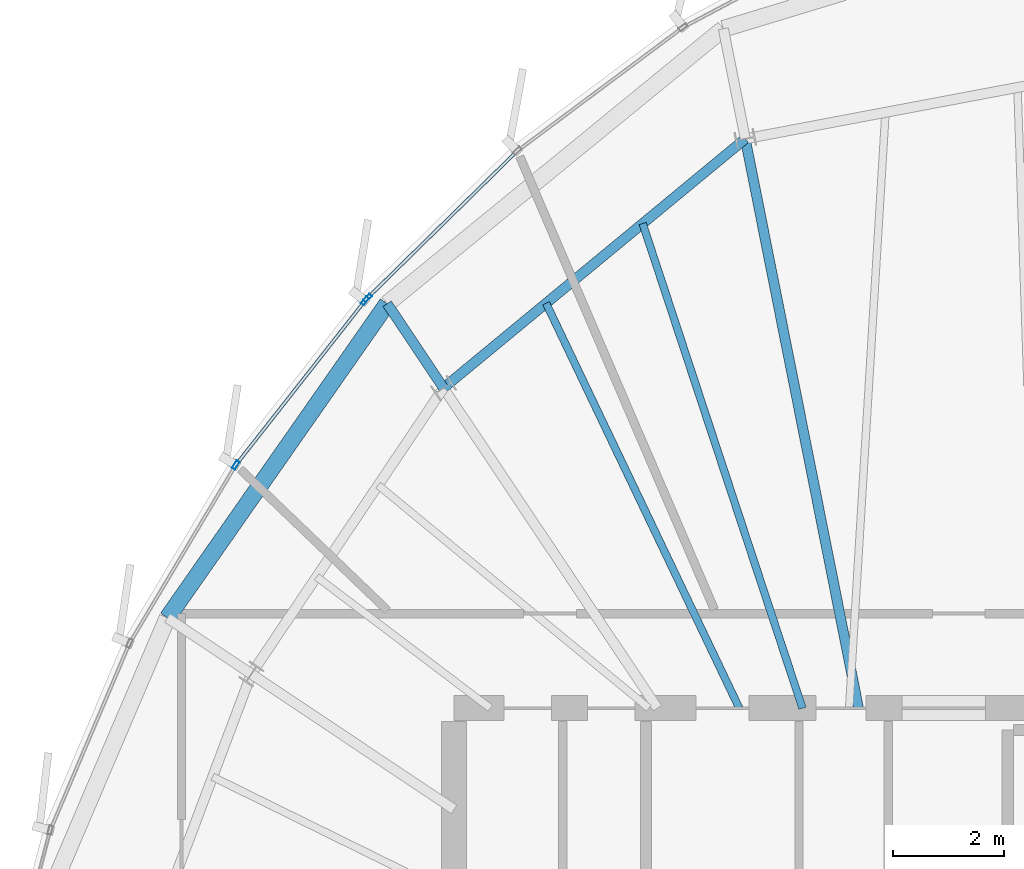
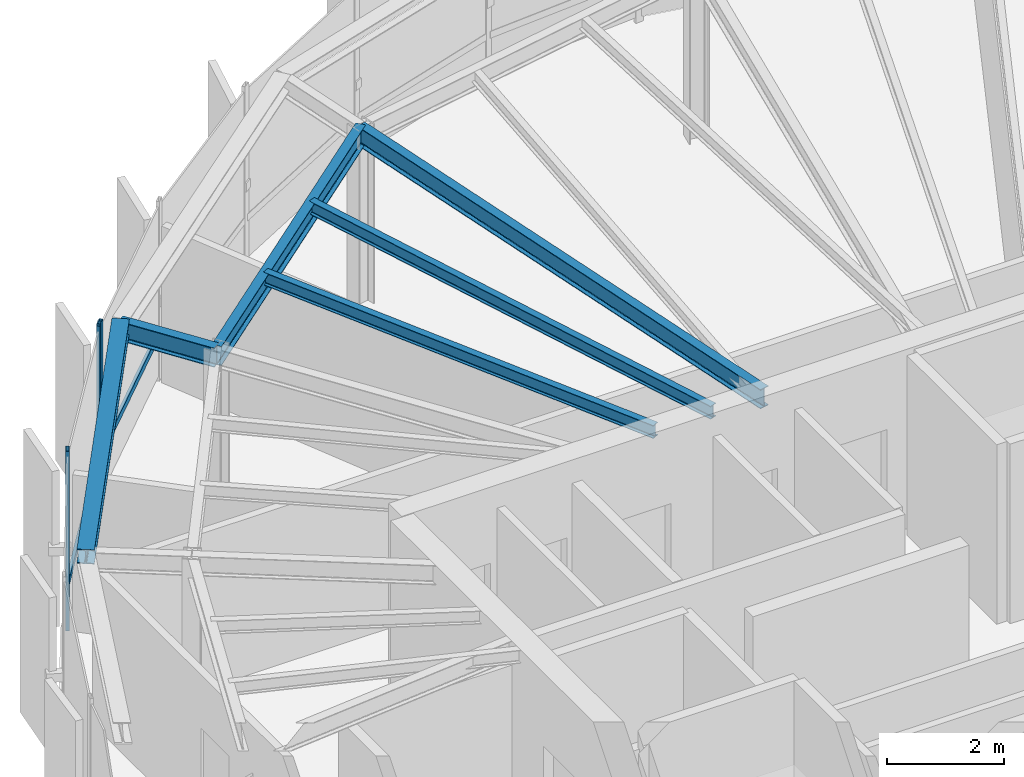
# One storey, part 14 of 26: 6 beams, 5 members, 2 elements without a shape of their own.
"""IFC4 building model written with IfcOpenShell, lengths in metres."""

from ifc_helpers import new_model, si_unit, direction, frame, origin, origin_2d, place, context, subcontext, project, spatial, hollow_rectangle, i_section, extrude, source, transform, mapped, material, layer, layer_set, material_profile, profile_set, type_object, element, aggregate, save


model = new_model("IFC4")

# Units and contexts
model_context = context("Model", 3, precision=1e-05, world=origin(), true_north=direction((0.0, 1.0)))
body_context = subcontext(model_context, "Body", "Model", "MODEL_VIEW")
ifc_project = project(units=[si_unit("LENGTHUNIT", "METRE"), si_unit("AREAUNIT", "SQUARE_METRE"), si_unit("VOLUMEUNIT", "CUBIC_METRE"), si_unit("PLANEANGLEUNIT", "RADIAN"), si_unit("MASSUNIT", "GRAM", prefix="KILO"), si_unit("THERMODYNAMICTEMPERATUREUNIT", "KELVIN")], contexts=[model_context])

# Site, building, storey
site_placement = place(None, origin())
site = spatial("IfcSite", under=ifc_project, at=site_placement, CompositionType="ELEMENT")
building_placement = place(site_placement, origin())
building = spatial("IfcBuilding", under=site, at=building_placement, Name="Kethvar Cultural Tower", CompositionType="ELEMENT")
storey_placement = place(building_placement, frame((0.0, 0.0, 320.300048828125)))
storey = spatial("IfcBuildingStorey", under=building, at=storey_placement, Name="L85", CompositionType="ELEMENT", Elevation=320.300048828125)

# Beams
ifc_material_1 = material(Name="Steel S355J2", Category="steel")
ifc_material_profile_1 = material_profile(ifc_material_1, i_section(OverallWidth=0.135009765625, OverallDepth=0.27001953125, WebThickness=0.006591796875, FlangeThickness=0.01025390625, FilletRadius=0.014892578125, at=origin_2d()), Name="Steel S355J2 — IPE270")
ifc_profile_set_1 = profile_set([ifc_material_profile_1], Name="Steel S355J2 — IPE270")
beam_type_1 = type_object("IfcBeamType", Name="BM-J270", PredefinedType="JOIST", material=ifc_profile_set_1)
shared_shape_1 = source(origin(), body_context, "Body", "SweptSolid", [
    extrude(i_section(OverallWidth=0.135009765625, OverallDepth=0.27001953125, WebThickness=0.006591796875, FlangeThickness=0.01025390625, FilletRadius=0.014892578125, at=origin_2d()), origin(), (0.0, 0.0, 1.0), 9.17138671875),
])
beam_1_placement = place(storey_placement, frame((44.260986328125, 35.5, 3.597900390625), z_axis=(-0.313151555446, 0.949703165901, 0.0), x_axis=(-0.949703165901, -0.313151555446, 0.0)))
element("IfcBeam", 1, at=beam_1_placement, inside=storey, type_object=beam_type_1, Name="L85 Composite Floor Joist J-05A", PredefinedType="JOIST", context=body_context, shape_type="MappedRepresentation", body=[
    mapped(shared_shape_1, transform((0.0, 0.0, 0.0), scale=1.0)),
])
shared_shape_2 = source(origin(), body_context, "Body", "SweptSolid", [
    extrude(i_section(OverallWidth=0.135009765625, OverallDepth=0.27001953125, WebThickness=0.006591796875, FlangeThickness=0.01025390625, FilletRadius=0.014892578125, at=origin_2d()), origin(), (0.0, 0.0, 1.0), 8.063232421875),
])
beam_2_placement = place(storey_placement, frame((43.1259765625, 35.5, 3.597900390625), z_axis=(-0.430642151588, 0.902522762746, 0.0), x_axis=(-0.902522762746, -0.430642151588, 0.0)))
element("IfcBeam", 2, at=beam_2_placement, inside=storey, type_object=beam_type_1, Name="L85 Composite Floor Joist J-05B", PredefinedType="JOIST", context=body_context, shape_type="MappedRepresentation", body=[
    mapped(shared_shape_2, transform((0.0, 0.0, 0.0), scale=1.0)),
])
ifc_material_profile_2 = material_profile(ifc_material_1, i_section(OverallWidth=0.179931640625, OverallDepth=0.39990234375, WebThickness=0.008544921875, FlangeThickness=0.013427734375, FilletRadius=0.02099609375, at=origin_2d()), Name="Steel S355J2 — IPE400")
ifc_profile_set_2 = profile_set([ifc_material_profile_2], Name="Steel S355J2 — IPE400")
beam_type_2 = type_object("IfcBeamType", Name="BM-IPE400", PredefinedType="BEAM", material=ifc_profile_set_2)
shared_shape_3 = source(origin(), body_context, "Body", "SweptSolid", [
    extrude(i_section(OverallWidth=0.179931640625, OverallDepth=0.39990234375, WebThickness=0.008544921875, FlangeThickness=0.013427734375, FilletRadius=0.02099609375, at=origin_2d()), origin(), (0.0, 0.0, 1.0), 10.432861328125),
])
beam_3_placement = place(storey_placement, frame((45.268310546875, 35.5, 3.532958984375), z_axis=(-0.195094483249, 0.980784452673, 0.0), x_axis=(-0.980784452673, -0.195094483249, 0.0)))
element("IfcBeam", 3, at=beam_3_placement, inside=storey, type_object=beam_type_2, Name="L85 Primary Radial Beam RB-05", PredefinedType="BEAM", context=body_context, shape_type="MappedRepresentation", body=[
    mapped(shared_shape_3, transform((0.0, 0.0, 0.0), scale=1.0)),
])
shared_shape_4 = source(origin(), body_context, "Body", "SweptSolid", [
    extrude(i_section(OverallWidth=0.179931640625, OverallDepth=0.39990234375, WebThickness=0.008544921875, FlangeThickness=0.013427734375, FilletRadius=0.02099609375, at=origin_2d()), origin(), (0.0, 0.0, 1.0), 7.03271484375),
])
beam_4_placement = place(storey_placement, frame((43.23291015625, 45.732421875, 3.532958984375), z_axis=(-0.771161072103, -0.636640087391, 0.0), x_axis=(0.636640087391, -0.771161072103, 0.0)))
element("IfcBeam", 4, at=beam_4_placement, inside=storey, type_object=beam_type_2, Name="L85 Column Ring Tie Beam CR-05", PredefinedType="BEAM", context=body_context, shape_type="MappedRepresentation", body=[
    mapped(shared_shape_4, transform((0.0, 0.0, 0.0), scale=1.0)),
])
shared_shape_5 = source(origin(), body_context, "Body", "SweptSolid", [
    extrude(i_section(OverallWidth=0.179931640625, OverallDepth=0.39990234375, WebThickness=0.008544921875, FlangeThickness=0.013427734375, FilletRadius=0.02099609375, at=origin_2d()), origin(), (0.0, 0.0, 1.0), 1.822021484375),
])
beam_5_placement = place(storey_placement, frame((37.8095703125, 41.255126953125, 3.532958984375), z_axis=(-0.555565744758, 0.831472611245, 0.0), x_axis=(-0.831472611245, -0.555565744758, 0.0)))
element("IfcBeam", 5, at=beam_5_placement, inside=storey, type_object=beam_type_2, Name="L85 Perimeter Cantilever Beam RC-06", PredefinedType="BEAM", context=body_context, shape_type="MappedRepresentation", body=[
    mapped(shared_shape_5, transform((0.0, 0.0, 0.0), scale=1.0)),
])
ifc_material_profile_3 = material_profile(ifc_material_1, i_section(OverallWidth=0.300048828125, OverallDepth=0.300048828125, WebThickness=0.010986328125, FlangeThickness=0.01904296875, FilletRadius=0.027099609375, at=origin_2d()), Name="Steel S355J2 — HEB300")
ifc_profile_set_3 = profile_set([ifc_material_profile_3], Name="Steel S355J2 — HEB300")
beam_type_3 = type_object("IfcBeamType", Name="BM-SP300", PredefinedType="SPANDREL", material=ifc_profile_set_3)
shared_shape_6 = source(origin(), body_context, "Body", "SweptSolid", [
    extrude(i_section(OverallWidth=0.300048828125, OverallDepth=0.300048828125, WebThickness=0.010986328125, FlangeThickness=0.01904296875, FilletRadius=0.027099609375, at=origin_2d()), origin(), (0.0, 0.0, 1.0), 6.891357421875),
])
beam_6_placement = place(storey_placement, frame((36.79736328125, 42.77001953125, 3.5830078125), z_axis=(-0.573096132949, -0.819488146589, 0.0), x_axis=(0.819488146589, -0.573096132949, 0.0)))
element("IfcBeam", 6, at=beam_6_placement, inside=storey, type_object=beam_type_3, Name="L85 Perimeter Spandrel Beam SP-06", PredefinedType="SPANDREL", context=body_context, shape_type="MappedRepresentation", body=[
    mapped(shared_shape_6, transform((0.0, 0.0, 0.0), scale=1.0)),
])

# Curtain wall, member
ifc_material_2 = material(Name="Aluminium 6063-T6", Category="aluminium")
ifc_layer = layer(ifc_material_2, 0.179931640625, Name="Aluminium 6063-T6", Category="aluminium")
ifc_layer_set = layer_set([ifc_layer], Name="Aluminium 6063-T6 (180 mm)")
curtain_wall_type = type_object("IfcCurtainWallType", Name="CW-SYS-06-CROWN", PredefinedType="NOTDEFINED", material=ifc_layer_set)
curtain_wall_1_placement = place(storey_placement, origin())
curtain_wall_1 = element("IfcCurtainWall", 7, at=curtain_wall_1_placement, inside=storey, type_object=curtain_wall_type, Name="L85 Curtain Wall Run 01", PredefinedType="NOTDEFINED")
ifc_material_profile_4 = material_profile(ifc_material_2, hollow_rectangle(XDim=0.06494140625, YDim=0.159912109375, WallThickness=0.0048828125, at=origin_2d()), Name="Aluminium 6063-T6 — RHS160x65x5")
ifc_profile_set_4 = profile_set([ifc_material_profile_4], Name="Aluminium 6063-T6 — RHS160x65x5")
member_type_1 = type_object("IfcMemberType", Name="CW-SYS-06-CROWN-MUL", PredefinedType="MULLION", material=ifc_profile_set_4)
shared_shape_7 = source(origin(), body_context, "Body", "SweptSolid", [
    extrude(hollow_rectangle(XDim=0.06494140625, YDim=0.159912109375, WallThickness=0.0048828125, at=origin_2d()), origin(), (0.0, 0.0, 1.0), 3.73486328125),
])
member_1_placement = place(storey_placement, frame((36.445068359375, 42.872802734375, 0.0), z_axis=(0.0, 0.0, 1.0), x_axis=(0.700660250228, -0.713495069184, 0.0)))
member_1 = element("IfcMember", 8, at=member_1_placement, type_object=member_type_1, Name="CW-L85-R01 Mullion 7", PredefinedType="MULLION", context=body_context, shape_type="MappedRepresentation", body=[
    mapped(shared_shape_7, transform((0.0, 0.0, 0.0), scale=1.0)),
])

# Curtain wall, members
curtain_wall_2_placement = place(storey_placement, origin())
curtain_wall_2 = element("IfcCurtainWall", 9, at=curtain_wall_2_placement, inside=storey, type_object=curtain_wall_type, Name="L85 Curtain Wall Run 02", PredefinedType="NOTDEFINED")
member_2_placement = place(storey_placement, frame((36.399169921875, 42.8212890625, 0.0), z_axis=(0.0, 0.0, 1.0), x_axis=(0.785943231616, -0.618298663008, 0.0)))
member_2 = element("IfcMember", 10, at=member_2_placement, type_object=member_type_1, Name="CW-L85-R02 Mullion 1", PredefinedType="MULLION", context=body_context, shape_type="MappedRepresentation", body=[
    mapped(shared_shape_7, transform((0.0, 0.0, 0.0), scale=1.0)),
])
member_3_placement = place(storey_placement, frame((34.0771484375, 39.871337890625, 0.0), z_axis=(0.0, 0.0, 1.0), x_axis=(0.859174305582, -0.511683019679, 0.0)))
member_3 = element("IfcMember", 11, at=member_3_placement, type_object=member_type_1, Name="CW-L85-R02 Mullion 2", PredefinedType="MULLION", context=body_context, shape_type="MappedRepresentation", body=[
    mapped(shared_shape_7, transform((0.0, 0.0, 0.0), scale=1.0)),
])

# Member
ifc_material_profile_5 = material_profile(ifc_material_2, hollow_rectangle(XDim=0.06005859375, YDim=0.139892578125, WallThickness=0.0048828125, at=origin_2d()), Name="Aluminium 6063-T6 — RHS140x60x5")
ifc_profile_set_5 = profile_set([ifc_material_profile_5], Name="Aluminium 6063-T6 — RHS140x60x5")
member_type_2 = type_object("IfcMemberType", Name="CW-SYS-06-CROWN-TRN", PredefinedType="USERDEFINED", material=ifc_profile_set_5)
shared_shape_8 = source(origin(), body_context, "Body", "SweptSolid", [
    extrude(hollow_rectangle(XDim=0.06005859375, YDim=0.139892578125, WallThickness=0.0048828125, at=origin_2d()), origin(), (0.0, 0.0, 1.0), 3.720703125),
])
member_4_placement = place(storey_placement, frame((39.103271484375, 45.48291015625, 0.949951171875), z_axis=(-0.713507905705, -0.700647178326, 0.0), x_axis=(0.700647178326, -0.713507905705, 0.0)))
member_4 = element("IfcMember", 12, at=member_4_placement, type_object=member_type_2, Name="CW-L85-R01 Transom 6", ObjectType="TRANSOM", PredefinedType="USERDEFINED", context=body_context, shape_type="MappedRepresentation", body=[
    mapped(shared_shape_8, transform((0.0, 0.0, 0.0), scale=1.0)),
])

aggregate(curtain_wall_1, [member_1, member_4])

shared_shape_9 = source(origin(), body_context, "Body", "SweptSolid", [
    extrude(hollow_rectangle(XDim=0.06005859375, YDim=0.139892578125, WallThickness=0.0048828125, at=origin_2d()), origin(), (0.0, 0.0, 1.0), 3.71826171875),
])
member_5_placement = place(storey_placement, frame((36.396240234375, 42.817626953125, 0.949951171875), z_axis=(-0.618308592402, -0.785935420096, 0.0), x_axis=(0.785935420096, -0.618308592402, 0.0)))
member_5 = element("IfcMember", 13, at=member_5_placement, type_object=member_type_2, Name="CW-L85-R02 Transom 1", ObjectType="TRANSOM", PredefinedType="USERDEFINED", context=body_context, shape_type="MappedRepresentation", body=[
    mapped(shared_shape_9, transform((0.0, 0.0, 0.0), scale=1.0)),
])

aggregate(curtain_wall_2, [member_2, member_3, member_5])

save(model, "model.ifc")
